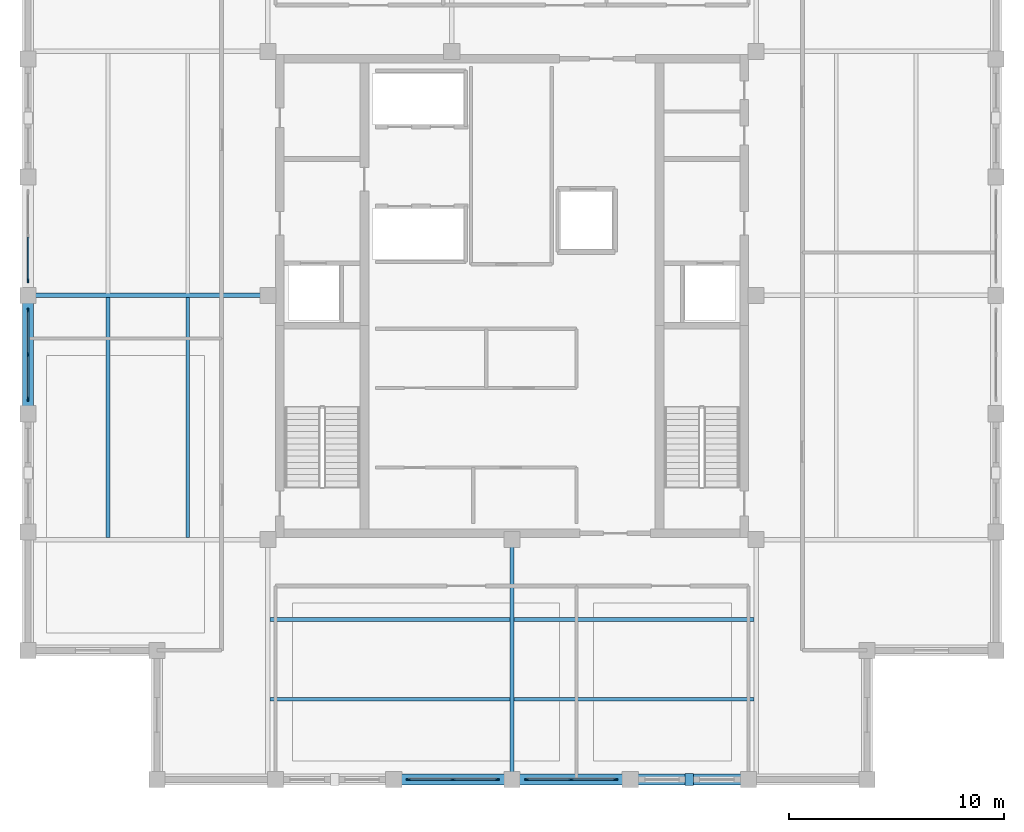
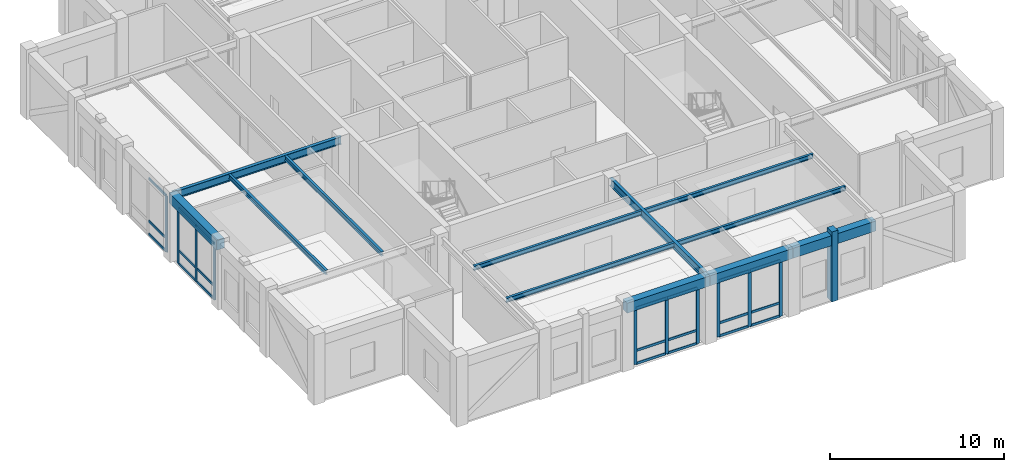
# One storey, part 2 of 13: 32 members, 12 beams, 4 elements without a shape of their own.
"""IFC4 building model written with IfcOpenShell, lengths in metres."""

from ifc_helpers import new_model, si_unit, direction, frame, origin, origin_2d, place, context, subcontext, project, spatial, rectangle, i_section, extrude, material, layer, layer_set, material_profile, profile_set, type_object, element, aggregate, save


model = new_model("IFC4")

# Units and contexts
model_context = context("Model", 3, precision=1e-05, world=origin(), true_north=direction((0.0, 1.0)))
body_context = subcontext(model_context, "Body", "Model", "MODEL_VIEW")
ifc_project = project(units=[si_unit("LENGTHUNIT", "METRE"), si_unit("AREAUNIT", "SQUARE_METRE"), si_unit("VOLUMEUNIT", "CUBIC_METRE"), si_unit("PLANEANGLEUNIT", "RADIAN"), si_unit("MASSUNIT", "GRAM", prefix="KILO")], contexts=[model_context])

# Site, building, storey
site_placement = place(None, origin())
site = spatial("IfcSite", under=ifc_project, at=site_placement, CompositionType="ELEMENT")
building_placement = place(site_placement, origin())
building = spatial("IfcBuilding", under=site, at=building_placement, Name="Nhamokura Convention Tower", CompositionType="ELEMENT")
storey_placement = place(building_placement, frame((0.0, 0.0, 308.35009765625)))
storey = spatial("IfcBuildingStorey", under=building, at=storey_placement, Name="L76", CompositionType="ELEMENT", Elevation=308.35009765625)

# Member
ifc_material_1 = material(Name="Bronze-pigmented precast concrete C45/55", Category="concrete")
ifc_material_profile_1 = material_profile(ifc_material_1, rectangle(XDim=0.39990234375, YDim=0.550048828125, at=origin_2d()))
ifc_profile_set_1 = profile_set([ifc_material_profile_1], Name="Bronze-pigmented precast concrete C45/55")
member_type_1 = type_object("IfcMemberType", Name="BronzePilaster_550", PredefinedType="USERDEFINED", material=ifc_profile_set_1)
member_1_placement = place(storey_placement, frame((40.25, 9.5, 0.0), z_axis=(0.0, 0.0, 1.0), x_axis=(1.0, 0.0, 0.0)))
element("IfcMember", 1, at=member_1_placement, inside=storey, type_object=member_type_1, Name="L76 Engaged Frame Pilaster SOUTH 4", ObjectType="PILASTER_TRIM", PredefinedType="USERDEFINED", context=body_context, shape_type="SweptSolid", body=[
    extrude(rectangle(XDim=0.39990234375, YDim=0.550048828125, at=origin_2d()), origin(), (0.0, 0.0, 1.0), 4.89990234375),
])

# Curtain wall, members
ifc_material_2 = material(Name="Anodised bronze aluminium AA6063-T6", Category="aluminium")
ifc_layer = layer(ifc_material_2, 0.18994140625)
ifc_layer_set = layer_set([ifc_layer], Name="CWSystem_SkyLobby")
curtain_wall_type = type_object("IfcCurtainWallType", Name="CWSystem_SkyLobby", PredefinedType="NOTDEFINED", material=ifc_layer_set)
curtain_wall_1_placement = place(storey_placement, origin())
curtain_wall_1 = element("IfcCurtainWall", 2, at=curtain_wall_1_placement, inside=storey, type_object=curtain_wall_type, Name="L76 Curtain Wall ENV-L76-CW-S2", PredefinedType="NOTDEFINED")
ifc_material_3 = material(Name="Anodised bronze aluminium AA6063-T6", Category="aluminium")
ifc_material_profile_2 = material_profile(ifc_material_3, rectangle(XDim=0.074951171875, YDim=0.199951171875, at=origin_2d()))
ifc_profile_set_2 = profile_set([ifc_material_profile_2], Name="Anodised bronze aluminium AA6063-T6")
member_type_2 = type_object("IfcMemberType", Name="CWMullion_2", PredefinedType="MULLION", material=ifc_profile_set_2)
member_2_placement = place(storey_placement, frame((31.3125, 9.5, 0.0), z_axis=(0.0, 0.0, 1.0), x_axis=(0.0, -1.0, 0.0)))
member_2 = element("IfcMember", 3, at=member_2_placement, type_object=member_type_2, Name="CW-06 mullion 1", PredefinedType="MULLION", context=body_context, shape_type="SweptSolid", body=[
    extrude(rectangle(XDim=0.074951171875, YDim=0.199951171875, at=origin_2d()), origin(), (0.0, 0.0, 1.0), 3.93994140625),
])
member_3_placement = place(storey_placement, frame((29.25, 9.5, 0.0), z_axis=(0.0, 0.0, 1.0), x_axis=(0.0, -1.0, 0.0)))
member_3 = element("IfcMember", 4, at=member_3_placement, type_object=member_type_2, Name="CW-06 mullion 2", PredefinedType="MULLION", context=body_context, shape_type="SweptSolid", body=[
    extrude(rectangle(XDim=0.074951171875, YDim=0.199951171875, at=origin_2d()), origin(), (0.0, 0.0, 1.0), 3.93994140625),
])
member_4_placement = place(storey_placement, frame((27.1875, 9.5, 0.0), z_axis=(0.0, 0.0, 1.0), x_axis=(0.0, -1.0, 0.0)))
member_4 = element("IfcMember", 5, at=member_4_placement, type_object=member_type_2, Name="CW-06 mullion 3", PredefinedType="MULLION", context=body_context, shape_type="SweptSolid", body=[
    extrude(rectangle(XDim=0.074951171875, YDim=0.199951171875, at=origin_2d()), origin(), (0.0, 0.0, 1.0), 3.93994140625),
])

curtain_wall_2_placement = place(storey_placement, origin())
curtain_wall_2 = element("IfcCurtainWall", 6, at=curtain_wall_2_placement, inside=storey, type_object=curtain_wall_type, Name="L76 Curtain Wall ENV-L76-CW-S3", PredefinedType="NOTDEFINED")
member_5_placement = place(storey_placement, frame((36.8125, 9.5, 0.0), z_axis=(0.0, 0.0, 1.0), x_axis=(0.0, -1.0, 0.0)))
member_5 = element("IfcMember", 7, at=member_5_placement, type_object=member_type_2, Name="CW-06 mullion 1", PredefinedType="MULLION", context=body_context, shape_type="SweptSolid", body=[
    extrude(rectangle(XDim=0.074951171875, YDim=0.199951171875, at=origin_2d()), origin(), (0.0, 0.0, 1.0), 3.93994140625),
])
member_6_placement = place(storey_placement, frame((34.75, 9.5, 0.0), z_axis=(0.0, 0.0, 1.0), x_axis=(0.0, -1.0, 0.0)))
member_6 = element("IfcMember", 8, at=member_6_placement, type_object=member_type_2, Name="CW-06 mullion 2", PredefinedType="MULLION", context=body_context, shape_type="SweptSolid", body=[
    extrude(rectangle(XDim=0.074951171875, YDim=0.199951171875, at=origin_2d()), origin(), (0.0, 0.0, 1.0), 3.93994140625),
])
member_7_placement = place(storey_placement, frame((32.6875, 9.5, 0.0), z_axis=(0.0, 0.0, 1.0), x_axis=(0.0, -1.0, 0.0)))
member_7 = element("IfcMember", 9, at=member_7_placement, type_object=member_type_2, Name="CW-06 mullion 3", PredefinedType="MULLION", context=body_context, shape_type="SweptSolid", body=[
    extrude(rectangle(XDim=0.074951171875, YDim=0.199951171875, at=origin_2d()), origin(), (0.0, 0.0, 1.0), 3.93994140625),
])

curtain_wall_3_placement = place(storey_placement, origin())
curtain_wall_3 = element("IfcCurtainWall", 10, at=curtain_wall_3_placement, inside=storey, type_object=curtain_wall_type, Name="L76 Curtain Wall ENV-L76-CW-W2", PredefinedType="NOTDEFINED")
member_8_placement = place(storey_placement, frame((9.5, 27.1875, 0.0), z_axis=(0.0, 0.0, 1.0), x_axis=(-1.0, 0.0, 0.0)))
member_8 = element("IfcMember", 11, at=member_8_placement, type_object=member_type_2, Name="CW-06 mullion 1", PredefinedType="MULLION", context=body_context, shape_type="SweptSolid", body=[
    extrude(rectangle(XDim=0.074951171875, YDim=0.199951171875, at=origin_2d()), origin(), (0.0, 0.0, 1.0), 3.93994140625),
])
member_9_placement = place(storey_placement, frame((9.5, 29.25, 0.0), z_axis=(0.0, 0.0, 1.0), x_axis=(-1.0, 0.0, 0.0)))
member_9 = element("IfcMember", 12, at=member_9_placement, type_object=member_type_2, Name="CW-06 mullion 2", PredefinedType="MULLION", context=body_context, shape_type="SweptSolid", body=[
    extrude(rectangle(XDim=0.074951171875, YDim=0.199951171875, at=origin_2d()), origin(), (0.0, 0.0, 1.0), 3.93994140625),
])
member_10_placement = place(storey_placement, frame((9.5, 31.3125, 0.0), z_axis=(0.0, 0.0, 1.0), x_axis=(-1.0, 0.0, 0.0)))
member_10 = element("IfcMember", 13, at=member_10_placement, type_object=member_type_2, Name="CW-06 mullion 3", PredefinedType="MULLION", context=body_context, shape_type="SweptSolid", body=[
    extrude(rectangle(XDim=0.074951171875, YDim=0.199951171875, at=origin_2d()), origin(), (0.0, 0.0, 1.0), 3.93994140625),
])

# Curtain wall, member
curtain_wall_4_placement = place(storey_placement, origin())
curtain_wall_4 = element("IfcCurtainWall", 14, at=curtain_wall_4_placement, inside=storey, type_object=curtain_wall_type, Name="L76 Curtain Wall ENV-L76-CW-W3", PredefinedType="NOTDEFINED")
member_11_placement = place(storey_placement, frame((9.5, 32.6875, 0.0), z_axis=(0.0, 0.0, 1.0), x_axis=(-1.0, 0.0, 0.0)))
member_11 = element("IfcMember", 15, at=member_11_placement, type_object=member_type_2, Name="CW-06 mullion 1", PredefinedType="MULLION", context=body_context, shape_type="SweptSolid", body=[
    extrude(rectangle(XDim=0.074951171875, YDim=0.199951171875, at=origin_2d()), origin(), (0.0, 0.0, 1.0), 3.93994140625),
])

# Member
ifc_material_4 = material(Name="Anodised bronze aluminium AA6063-T6", Category="aluminium")
ifc_material_profile_3 = material_profile(ifc_material_4, rectangle(XDim=0.074951171875, YDim=0.169921875, at=origin_2d()))
ifc_profile_set_3 = profile_set([ifc_material_profile_3], Name="Anodised bronze aluminium AA6063-T6")
member_type_3 = type_object("IfcMemberType", Name="CWTransom_2", PredefinedType="USERDEFINED", material=ifc_profile_set_3)
member_12_placement = place(storey_placement, frame((31.27490234375, 9.5, 0.037353515625), z_axis=(-1.0, 0.0, 0.0), x_axis=(0.0, -1.0, 0.0)))
member_12 = element("IfcMember", 16, at=member_12_placement, type_object=member_type_3, Name="CW-06 transom 1.1", ObjectType="TRANSOM", PredefinedType="USERDEFINED", context=body_context, shape_type="SweptSolid", body=[
    extrude(rectangle(XDim=0.074951171875, YDim=0.169921875, at=origin_2d()), origin(), (0.0, 0.0, 1.0), 1.9873046875),
])

member_13_placement = place(storey_placement, frame((31.27490234375, 9.5, 0.949951171875), z_axis=(-1.0, 0.0, 0.0), x_axis=(0.0, -1.0, 0.0)))
member_13 = element("IfcMember", 17, at=member_13_placement, type_object=member_type_3, Name="CW-06 transom 1.2", ObjectType="TRANSOM", PredefinedType="USERDEFINED", context=body_context, shape_type="SweptSolid", body=[
    extrude(rectangle(XDim=0.074951171875, YDim=0.169921875, at=origin_2d()), origin(), (0.0, 0.0, 1.0), 1.9873046875),
])

member_14_placement = place(storey_placement, frame((31.27490234375, 9.5, 3.90234375), z_axis=(-1.0, 0.0, 0.0), x_axis=(0.0, -1.0, 0.0)))
member_14 = element("IfcMember", 18, at=member_14_placement, type_object=member_type_3, Name="CW-06 transom 1.3", ObjectType="TRANSOM", PredefinedType="USERDEFINED", context=body_context, shape_type="SweptSolid", body=[
    extrude(rectangle(XDim=0.074951171875, YDim=0.169921875, at=origin_2d()), origin(), (0.0, 0.0, 1.0), 1.9873046875),
])

member_15_placement = place(storey_placement, frame((29.21240234375, 9.5, 0.037353515625), z_axis=(-1.0, 0.0, 0.0), x_axis=(0.0, -1.0, 0.0)))
member_15 = element("IfcMember", 19, at=member_15_placement, type_object=member_type_3, Name="CW-06 transom 2.1", ObjectType="TRANSOM", PredefinedType="USERDEFINED", context=body_context, shape_type="SweptSolid", body=[
    extrude(rectangle(XDim=0.074951171875, YDim=0.169921875, at=origin_2d()), origin(), (0.0, 0.0, 1.0), 1.9873046875),
])

member_16_placement = place(storey_placement, frame((29.21240234375, 9.5, 0.949951171875), z_axis=(-1.0, 0.0, 0.0), x_axis=(0.0, -1.0, 0.0)))
member_16 = element("IfcMember", 20, at=member_16_placement, type_object=member_type_3, Name="CW-06 transom 2.2", ObjectType="TRANSOM", PredefinedType="USERDEFINED", context=body_context, shape_type="SweptSolid", body=[
    extrude(rectangle(XDim=0.074951171875, YDim=0.169921875, at=origin_2d()), origin(), (0.0, 0.0, 1.0), 1.9873046875),
])

member_17_placement = place(storey_placement, frame((29.21240234375, 9.5, 3.90234375), z_axis=(-1.0, 0.0, 0.0), x_axis=(0.0, -1.0, 0.0)))
member_17 = element("IfcMember", 21, at=member_17_placement, type_object=member_type_3, Name="CW-06 transom 2.3", ObjectType="TRANSOM", PredefinedType="USERDEFINED", context=body_context, shape_type="SweptSolid", body=[
    extrude(rectangle(XDim=0.074951171875, YDim=0.169921875, at=origin_2d()), origin(), (0.0, 0.0, 1.0), 1.9873046875),
])

aggregate(curtain_wall_1, [member_2, member_3, member_4, member_12, member_13, member_14, member_15, member_16, member_17])

member_18_placement = place(storey_placement, frame((36.77490234375, 9.5, 0.037353515625), z_axis=(-1.0, 0.0, 0.0), x_axis=(0.0, -1.0, 0.0)))
member_18 = element("IfcMember", 22, at=member_18_placement, type_object=member_type_3, Name="CW-06 transom 1.1", ObjectType="TRANSOM", PredefinedType="USERDEFINED", context=body_context, shape_type="SweptSolid", body=[
    extrude(rectangle(XDim=0.074951171875, YDim=0.169921875, at=origin_2d()), origin(), (0.0, 0.0, 1.0), 1.9873046875),
])

member_19_placement = place(storey_placement, frame((36.77490234375, 9.5, 0.949951171875), z_axis=(-1.0, 0.0, 0.0), x_axis=(0.0, -1.0, 0.0)))
member_19 = element("IfcMember", 23, at=member_19_placement, type_object=member_type_3, Name="CW-06 transom 1.2", ObjectType="TRANSOM", PredefinedType="USERDEFINED", context=body_context, shape_type="SweptSolid", body=[
    extrude(rectangle(XDim=0.074951171875, YDim=0.169921875, at=origin_2d()), origin(), (0.0, 0.0, 1.0), 1.9873046875),
])

member_20_placement = place(storey_placement, frame((36.77490234375, 9.5, 3.90234375), z_axis=(-1.0, 0.0, 0.0), x_axis=(0.0, -1.0, 0.0)))
member_20 = element("IfcMember", 24, at=member_20_placement, type_object=member_type_3, Name="CW-06 transom 1.3", ObjectType="TRANSOM", PredefinedType="USERDEFINED", context=body_context, shape_type="SweptSolid", body=[
    extrude(rectangle(XDim=0.074951171875, YDim=0.169921875, at=origin_2d()), origin(), (0.0, 0.0, 1.0), 1.9873046875),
])

member_21_placement = place(storey_placement, frame((34.71240234375, 9.5, 0.037353515625), z_axis=(-1.0, 0.0, 0.0), x_axis=(0.0, -1.0, 0.0)))
member_21 = element("IfcMember", 25, at=member_21_placement, type_object=member_type_3, Name="CW-06 transom 2.1", ObjectType="TRANSOM", PredefinedType="USERDEFINED", context=body_context, shape_type="SweptSolid", body=[
    extrude(rectangle(XDim=0.074951171875, YDim=0.169921875, at=origin_2d()), origin(), (0.0, 0.0, 1.0), 1.9873046875),
])

member_22_placement = place(storey_placement, frame((34.71240234375, 9.5, 0.949951171875), z_axis=(-1.0, 0.0, 0.0), x_axis=(0.0, -1.0, 0.0)))
member_22 = element("IfcMember", 26, at=member_22_placement, type_object=member_type_3, Name="CW-06 transom 2.2", ObjectType="TRANSOM", PredefinedType="USERDEFINED", context=body_context, shape_type="SweptSolid", body=[
    extrude(rectangle(XDim=0.074951171875, YDim=0.169921875, at=origin_2d()), origin(), (0.0, 0.0, 1.0), 1.9873046875),
])

member_23_placement = place(storey_placement, frame((34.71240234375, 9.5, 3.90234375), z_axis=(-1.0, 0.0, 0.0), x_axis=(0.0, -1.0, 0.0)))
member_23 = element("IfcMember", 27, at=member_23_placement, type_object=member_type_3, Name="CW-06 transom 2.3", ObjectType="TRANSOM", PredefinedType="USERDEFINED", context=body_context, shape_type="SweptSolid", body=[
    extrude(rectangle(XDim=0.074951171875, YDim=0.169921875, at=origin_2d()), origin(), (0.0, 0.0, 1.0), 1.9873046875),
])

aggregate(curtain_wall_2, [member_5, member_6, member_7, member_18, member_19, member_20, member_21, member_22, member_23])

member_24_placement = place(storey_placement, frame((9.5, 27.22509765625, 0.037353515625), z_axis=(0.0, 1.0, 0.0), x_axis=(-1.0, 0.0, 0.0)))
member_24 = element("IfcMember", 28, at=member_24_placement, type_object=member_type_3, Name="CW-06 transom 1.1", ObjectType="TRANSOM", PredefinedType="USERDEFINED", context=body_context, shape_type="SweptSolid", body=[
    extrude(rectangle(XDim=0.074951171875, YDim=0.169921875, at=origin_2d()), origin(), (0.0, 0.0, 1.0), 1.9873046875),
])

member_25_placement = place(storey_placement, frame((9.5, 27.22509765625, 0.949951171875), z_axis=(0.0, 1.0, 0.0), x_axis=(-1.0, 0.0, 0.0)))
member_25 = element("IfcMember", 29, at=member_25_placement, type_object=member_type_3, Name="CW-06 transom 1.2", ObjectType="TRANSOM", PredefinedType="USERDEFINED", context=body_context, shape_type="SweptSolid", body=[
    extrude(rectangle(XDim=0.074951171875, YDim=0.169921875, at=origin_2d()), origin(), (0.0, 0.0, 1.0), 1.9873046875),
])

member_26_placement = place(storey_placement, frame((9.5, 27.22509765625, 3.90234375), z_axis=(0.0, 1.0, 0.0), x_axis=(-1.0, 0.0, 0.0)))
member_26 = element("IfcMember", 30, at=member_26_placement, type_object=member_type_3, Name="CW-06 transom 1.3", ObjectType="TRANSOM", PredefinedType="USERDEFINED", context=body_context, shape_type="SweptSolid", body=[
    extrude(rectangle(XDim=0.074951171875, YDim=0.169921875, at=origin_2d()), origin(), (0.0, 0.0, 1.0), 1.9873046875),
])

member_27_placement = place(storey_placement, frame((9.5, 29.28759765625, 0.037353515625), z_axis=(0.0, 1.0, 0.0), x_axis=(-1.0, 0.0, 0.0)))
member_27 = element("IfcMember", 31, at=member_27_placement, type_object=member_type_3, Name="CW-06 transom 2.1", ObjectType="TRANSOM", PredefinedType="USERDEFINED", context=body_context, shape_type="SweptSolid", body=[
    extrude(rectangle(XDim=0.074951171875, YDim=0.169921875, at=origin_2d()), origin(), (0.0, 0.0, 1.0), 1.9873046875),
])

member_28_placement = place(storey_placement, frame((9.5, 29.28759765625, 0.949951171875), z_axis=(0.0, 1.0, 0.0), x_axis=(-1.0, 0.0, 0.0)))
member_28 = element("IfcMember", 32, at=member_28_placement, type_object=member_type_3, Name="CW-06 transom 2.2", ObjectType="TRANSOM", PredefinedType="USERDEFINED", context=body_context, shape_type="SweptSolid", body=[
    extrude(rectangle(XDim=0.074951171875, YDim=0.169921875, at=origin_2d()), origin(), (0.0, 0.0, 1.0), 1.9873046875),
])

member_29_placement = place(storey_placement, frame((9.5, 29.28759765625, 3.90234375), z_axis=(0.0, 1.0, 0.0), x_axis=(-1.0, 0.0, 0.0)))
member_29 = element("IfcMember", 33, at=member_29_placement, type_object=member_type_3, Name="CW-06 transom 2.3", ObjectType="TRANSOM", PredefinedType="USERDEFINED", context=body_context, shape_type="SweptSolid", body=[
    extrude(rectangle(XDim=0.074951171875, YDim=0.169921875, at=origin_2d()), origin(), (0.0, 0.0, 1.0), 1.9873046875),
])

aggregate(curtain_wall_3, [member_8, member_9, member_10, member_24, member_25, member_26, member_27, member_28, member_29])

member_30_placement = place(storey_placement, frame((9.5, 32.72509765625, 0.037353515625), z_axis=(0.0, 1.0, 0.0), x_axis=(-1.0, 0.0, 0.0)))
member_30 = element("IfcMember", 34, at=member_30_placement, type_object=member_type_3, Name="CW-06 transom 1.1", ObjectType="TRANSOM", PredefinedType="USERDEFINED", context=body_context, shape_type="SweptSolid", body=[
    extrude(rectangle(XDim=0.074951171875, YDim=0.169921875, at=origin_2d()), origin(), (0.0, 0.0, 1.0), 1.9873046875),
])

member_31_placement = place(storey_placement, frame((9.5, 32.72509765625, 0.949951171875), z_axis=(0.0, 1.0, 0.0), x_axis=(-1.0, 0.0, 0.0)))
member_31 = element("IfcMember", 35, at=member_31_placement, type_object=member_type_3, Name="CW-06 transom 1.2", ObjectType="TRANSOM", PredefinedType="USERDEFINED", context=body_context, shape_type="SweptSolid", body=[
    extrude(rectangle(XDim=0.074951171875, YDim=0.169921875, at=origin_2d()), origin(), (0.0, 0.0, 1.0), 1.9873046875),
])

member_32_placement = place(storey_placement, frame((9.5, 32.72509765625, 3.90234375), z_axis=(0.0, 1.0, 0.0), x_axis=(-1.0, 0.0, 0.0)))
member_32 = element("IfcMember", 36, at=member_32_placement, type_object=member_type_3, Name="CW-06 transom 1.3", ObjectType="TRANSOM", PredefinedType="USERDEFINED", context=body_context, shape_type="SweptSolid", body=[
    extrude(rectangle(XDim=0.074951171875, YDim=0.169921875, at=origin_2d()), origin(), (0.0, 0.0, 1.0), 1.9873046875),
])

aggregate(curtain_wall_4, [member_11, member_30, member_31, member_32])

# Beams
ifc_material_5 = material(Name="Steel ASTM A992 Gr 50", Category="steel")
ifc_material_profile_4 = material_profile(ifc_material_5, i_section(OverallWidth=0.166015625, OverallDepth=0.31298828125, WebThickness=0.006591796875, FlangeThickness=0.01123046875, at=origin_2d()))
ifc_profile_set_4 = profile_set([ifc_material_profile_4], Name="Steel ASTM A992 Gr 50")
beam_type_1 = type_object("IfcBeamType", Name="FloorJoist_W310X45", PredefinedType="JOIST", material=ifc_profile_set_4)
for number, where, z_axis, x_axis, name in (
    (37, (20.75244140625, 13.216796875, 4.4833984375), (1.0, 0.0, 0.0), (0.0, 1.0, 0.0), "L76 Composite Floor Joist S1A"),
    (38, (32.1025390625, 13.216796875, 4.4833984375), (1.0, 0.0, 0.0), (0.0, 1.0, 0.0), "L76 Composite Floor Joist S1B"),
    (39, (20.75244140625, 16.933349609375, 4.4833984375), (1.0, 0.0, 0.0), (0.0, 1.0, 0.0), "L76 Composite Floor Joist S2A"),
    (40, (32.1025390625, 16.933349609375, 4.4833984375), (1.0, 0.0, 0.0), (0.0, 1.0, 0.0), "L76 Composite Floor Joist S2B"),
    (41, (13.216796875, 20.75244140625, 4.4833984375), (0.0, 1.0, 0.0), (-1.0, 0.0, 0.0), "L76 Composite Floor Joist W1A"),
    (42, (16.933349609375, 20.75244140625, 4.4833984375), (0.0, 1.0, 0.0), (-1.0, 0.0, 0.0), "L76 Composite Floor Joist W2A"),
):
    element("IfcBeam", number, at=place(storey_placement, frame(where, z_axis=z_axis, x_axis=x_axis)), inside=storey, type_object=beam_type_1, Name=name, PredefinedType="JOIST", context=body_context, shape_type="SweptSolid", body=[
        extrude(i_section(OverallWidth=0.166015625, OverallDepth=0.31298828125, WebThickness=0.006591796875, FlangeThickness=0.01123046875, at=origin_2d()), origin(), (0.0, 0.0, 1.0), 11.14501953125),
    ])
ifc_material_6 = material(Name="Steel ASTM A992 Gr 50", Category="steel")
ifc_material_profile_5 = material_profile(ifc_material_6, i_section(OverallWidth=0.208984375, OverallDepth=0.532958984375, WebThickness=0.01025390625, FlangeThickness=0.015625, at=origin_2d()))
ifc_profile_set_5 = profile_set([ifc_material_profile_5], Name="Steel ASTM A992 Gr 50")
beam_type_2 = type_object("IfcBeamType", Name="PrimaryGirder_W530X92", PredefinedType="BEAM", material=ifc_profile_set_5)
for number, where, z_axis, x_axis, name in (
    (43, (32.0, 9.5, 4.373291015625), (0.0, 1.0, 0.0), (-1.0, 0.0, 0.0), "L76 Primary Floor Girder PG-S2"),
    (44, (9.5, 32.0, 4.373291015625), (1.0, 0.0, 0.0), (0.0, 1.0, 0.0), "L76 Primary Floor Girder PG-W2"),
):
    element("IfcBeam", number, at=place(storey_placement, frame(where, z_axis=z_axis, x_axis=x_axis)), inside=storey, type_object=beam_type_2, Name=name, PredefinedType="BEAM", context=body_context, shape_type="SweptSolid", body=[
        extrude(i_section(OverallWidth=0.208984375, OverallDepth=0.532958984375, WebThickness=0.01025390625, FlangeThickness=0.015625, at=origin_2d()), origin(), (0.0, 0.0, 1.0), 11.14990234375),
    ])
ifc_material_7 = material(Name="Concrete C50/60", Category="concrete")
ifc_material_profile_6 = material_profile(ifc_material_7, rectangle(XDim=0.5, YDim=0.699951171875, at=origin_2d()))
ifc_profile_set_6 = profile_set([ifc_material_profile_6], Name="Concrete C50/60")
beam_type_3 = type_object("IfcBeamType", Name="TubeSpandrel_700", PredefinedType="SPANDREL", material=ifc_profile_set_6)
for number, where, z_axis, x_axis, name in (
    (45, (26.5, 9.5, 4.289794921875), (1.0, 0.0, 0.0), (0.0, 1.0, 0.0), "L76 Perimeter Spandrel SOUTH 3"),
    (46, (32.0, 9.5, 4.289794921875), (1.0, 0.0, 0.0), (0.0, 1.0, 0.0), "L76 Perimeter Spandrel SOUTH 4"),
    (47, (37.5, 9.5, 4.289794921875), (1.0, 0.0, 0.0), (0.0, 1.0, 0.0), "L76 Perimeter Spandrel SOUTH 5"),
    (48, (9.5, 26.5, 4.289794921875), (0.0, 1.0, 0.0), (-1.0, 0.0, 0.0), "L76 Perimeter Spandrel WEST 3"),
):
    element("IfcBeam", number, at=place(storey_placement, frame(where, z_axis=z_axis, x_axis=x_axis)), inside=storey, type_object=beam_type_3, Name=name, PredefinedType="SPANDREL", context=body_context, shape_type="SweptSolid", body=[
        extrude(rectangle(XDim=0.5, YDim=0.699951171875, at=origin_2d()), origin(), (0.0, 0.0, 1.0), 5.5),
    ])

save(model, "model.ifc")
